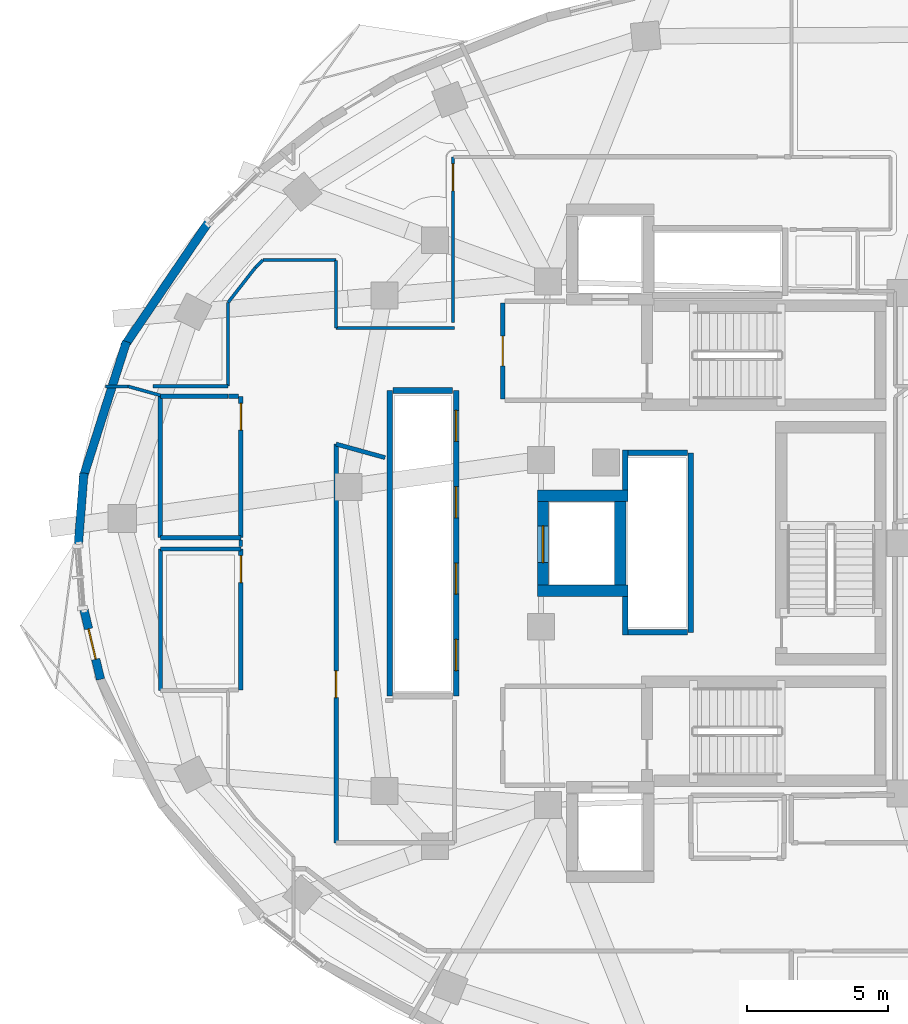
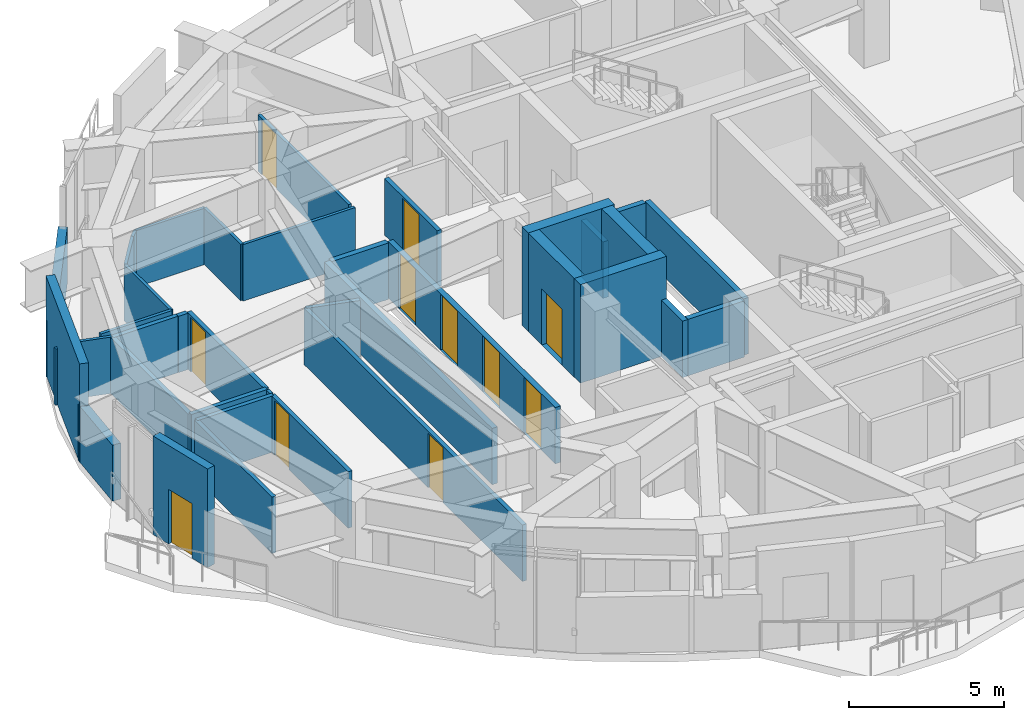
# One storey, part 8 of 13: 38 walls, 11 doors, 11 openings.
"""IFC4 building model written with IfcOpenShell, lengths in metres."""

from ifc_helpers import new_model, si_unit, direction, frame, frame_2d, origin, place, context, subcontext, project, spatial, rectangle, extrude, material, layer, layer_set, type_object, element, fill, save


model = new_model("IFC4")

# Units and contexts
model_context = context("Model", 3, precision=1e-05, world=origin(), true_north=direction((0.0, 1.0)))
body_context = subcontext(model_context, "Body", "Model", "MODEL_VIEW")
ifc_project = project(units=[si_unit("LENGTHUNIT", "METRE"), si_unit("AREAUNIT", "SQUARE_METRE"), si_unit("VOLUMEUNIT", "CUBIC_METRE"), si_unit("PLANEANGLEUNIT", "RADIAN"), si_unit("MASSUNIT", "GRAM", prefix="KILO")], contexts=[model_context])

# Site, building, storey
site_placement = place(None, origin())
site = spatial("IfcSite", under=ifc_project, at=site_placement, CompositionType="ELEMENT")
building_placement = place(site_placement, origin())
building = spatial("IfcBuilding", under=site, at=building_placement, Name="Korentha Bioscience Tower", CompositionType="ELEMENT")
storey_placement = place(building_placement, frame((0.0, 0.0, 208.800048828125)))
storey = spatial("IfcBuildingStorey", under=building, at=storey_placement, Name="L48", CompositionType="ELEMENT", Elevation=208.800048828125)

# Wall, opening, door
ifc_material_1 = material(Name="Double-Stud Acoustic Gypsum", Category="gypsum")
ifc_layer_1 = layer(ifc_material_1, 0.14990234375, Name="Double-Stud Acoustic Gypsum")
ifc_layer_set_1 = layer_set([ifc_layer_1], Name="Double-Stud Acoustic Gypsum (IW-L150)")
wall_type_1 = type_object("IfcWallType", Name="Acoustic Laboratory Partition Wall 150", PredefinedType="PARTITIONING", material=ifc_layer_set_1)
wall_1_placement = place(storey_placement, frame((14.239990234375, 26.800048828125, 0.0), z_axis=(0.0, 0.0, 1.0), x_axis=(0.0, -1.0, 0.0)))
wall_1 = element("IfcWall", 1, at=wall_1_placement, inside=storey, type_object=wall_type_1, Name="L48 Reclaimed Bank-1 Cold Freezer Alcove Entrance Wall", PredefinedType="PARTITIONING", context=body_context, shape_type="SweptSolid", body=[
    extrude(rectangle(XDim=4.989990234375, YDim=0.14990234375, at=frame_2d((2.4951171875, 0.0))), origin(), (0.0, 0.0, 1.0), 2.219970703125),
])
opening_1_placement = place(wall_1_placement, frame((0.239990234375, 0.0, 0.0)))
opening_1 = element("IfcOpeningElement", 2, at=opening_1_placement, cuts=wall_1, Name="Opening ID-10L", PredefinedType="OPENING", context=body_context, shape_type="SweptSolid", body=[
    extrude(rectangle(XDim=0.949951171875, YDim=2.14990234375, at=frame_2d((0.47509765625, 1.074951171875))), frame((0.0, 0.08984375, 0.0), z_axis=(0.0, -1.0, 0.0), x_axis=(1.0, 0.0, 0.0)), (0.0, 0.0, 1.0), 0.1796875),
])
ifc_material_2 = material(Name="Phenolic Laminate Timber Core", Category="wood")
door_type_1 = type_object("IfcDoorType", Name="Laboratory Single Leaf Door 950x2150 Left", OperationType="SINGLE_SWING_LEFT", PredefinedType="DOOR", material=ifc_material_2)
door_1_placement = place(opening_1_placement, origin())
door_1 = element("IfcDoor", 3, at=door_1_placement, inside=storey, type_object=door_type_1, Name="L48 Reclaimed Bank-1 Cold Freezer Alcove Door", OperationType="SINGLE_SWING_LEFT", OverallHeight=2.14990234375, OverallWidth=0.949951171875, PredefinedType="DOOR", context=body_context, shape_type="SweptSolid", body=[
    extrude(rectangle(XDim=0.949951171875, YDim=2.14990234375, at=frame_2d((0.47509765625, 1.074951171875))), frame((0.0, 0.02490234375, 0.0), z_axis=(0.0, -1.0, 0.0), x_axis=(1.0, 0.0, 0.0)), (0.0, 0.0, 1.0), 0.050048828125),
])
fill(opening_1, door_1)

wall_2_placement = place(storey_placement, frame((17.610107421875, 16.409912109375, 0.0), z_axis=(0.0, 0.0, 1.0), x_axis=(0.0, 1.0, 0.0)))
wall_2 = element("IfcWall", 4, at=wall_2_placement, inside=storey, type_object=wall_type_1, Name="L48 Staff Pantry Kitchenette 02 Entrance Wall", PredefinedType="PARTITIONING", context=body_context, shape_type="SweptSolid", body=[
    extrude(rectangle(XDim=14.096435546875, YDim=0.14990234375, at=frame_2d((7.04833984375, 0.0))), origin(), (0.0, 0.0, 1.0), 2.219970703125),
])
opening_2_placement = place(wall_2_placement, frame((5.132080078125, 0.0, 0.0)))
opening_2 = element("IfcOpeningElement", 5, at=opening_2_placement, cuts=wall_2, Name="Opening ID-10R", PredefinedType="OPENING", context=body_context, shape_type="SweptSolid", body=[
    extrude(rectangle(XDim=0.949951171875, YDim=2.14990234375, at=frame_2d((0.47509765625, 1.074951171875))), frame((0.0, 0.08984375, 0.0), z_axis=(0.0, -1.0, 0.0), x_axis=(1.0, 0.0, 0.0)), (0.0, 0.0, 1.0), 0.1796875),
])
door_type_2 = type_object("IfcDoorType", Name="Laboratory Single Leaf Door 950x2150 Right", OperationType="SINGLE_SWING_RIGHT", PredefinedType="DOOR", material=ifc_material_2)
door_2_placement = place(opening_2_placement, origin())
door_2 = element("IfcDoor", 6, at=door_2_placement, inside=storey, type_object=door_type_2, Name="L48 Staff Pantry Kitchenette 02 Door", OperationType="SINGLE_SWING_RIGHT", OverallHeight=2.14990234375, OverallWidth=0.949951171875, PredefinedType="DOOR", context=body_context, shape_type="SweptSolid", body=[
    extrude(rectangle(XDim=0.949951171875, YDim=2.14990234375, at=frame_2d((0.47509765625, 1.074951171875))), frame((0.0, 0.02490234375, 0.0), z_axis=(0.0, -1.0, 0.0), x_axis=(1.0, 0.0, 0.0)), (0.0, 0.0, 1.0), 0.050048828125),
])
fill(opening_2, door_2)

# Walls
wall_3_placement = place(storey_placement, frame((11.39990234375, 21.800048828125, 0.0), z_axis=(0.0, 0.0, 1.0), x_axis=(0.0, 1.0, 0.0)))
element("IfcWall", 7, at=wall_3_placement, inside=storey, type_object=wall_type_1, Name="L48 Interior Partition 023", PredefinedType="PARTITIONING", context=body_context, shape_type="SweptSolid", body=[
    extrude(rectangle(XDim=5.0, YDim=0.14990234375, at=frame_2d((2.5, 0.0))), origin(), (0.0, 0.0, 1.0), 2.219970703125),
])
wall_4_placement = place(storey_placement, frame((11.39990234375, 26.800048828125, 0.0), z_axis=(0.0, 0.0, 1.0), x_axis=(1.0, 0.0, 0.0)))
element("IfcWall", 8, at=wall_4_placement, inside=storey, type_object=wall_type_1, Name="L48 Interior Partition 024", PredefinedType="PARTITIONING", context=body_context, shape_type="SweptSolid", body=[
    extrude(rectangle(XDim=2.840087890625, YDim=0.14990234375, at=frame_2d((1.419921875, 0.0))), origin(), (0.0, 0.0, 1.0), 2.219970703125),
])
wall_5_placement = place(storey_placement, frame((17.610107421875, 30.50634765625, 0.0), z_axis=(0.0, 0.0, 1.0), x_axis=(0.963625002939, -0.267258028338, 0.0)))
element("IfcWall", 9, at=wall_5_placement, inside=storey, type_object=wall_type_1, Name="L48 Interior Partition 039", PredefinedType="PARTITIONING", context=body_context, shape_type="SweptSolid", body=[
    extrude(rectangle(XDim=1.794921875, YDim=0.14990234375, at=frame_2d((0.8974609375, 0.0))), origin(), (0.0, 0.0, 1.0), 2.219970703125),
])

# Wall, opening, door
ifc_material_3 = material(Name="Fire-Rated Framed Glass", Category="glass")
ifc_layer_2 = layer(ifc_material_3, 0.110107421875, Name="Fire-Rated Framed Glass")
ifc_layer_set_2 = layer_set([ifc_layer_2], Name="Fire-Rated Framed Glass (IW-G110)")
wall_type_2 = type_object("IfcWallType", Name="Demountable Glazed Office Partition 110", PredefinedType="MOVABLE", material=ifc_layer_set_2)
wall_6_placement = place(storey_placement, frame((21.739990234375, 40.64990234375, 0.0), z_axis=(0.0, 0.0, 1.0), x_axis=(0.0, -1.0, 0.0)))
wall_6 = element("IfcWall", 10, at=wall_6_placement, inside=storey, type_object=wall_type_2, Name="L48 Colloquium Huddle Room 09 Entrance Wall", PredefinedType="MOVABLE", context=body_context, shape_type="SweptSolid", body=[
    extrude(rectangle(XDim=5.849853515625, YDim=0.110107421875, at=frame_2d((2.9248046875, 0.0))), origin(), (0.0, 0.0, 1.0), 2.219970703125),
])
opening_3_placement = place(wall_6_placement, frame((0.239990234375, 0.0, 0.0)))
opening_3 = element("IfcOpeningElement", 11, at=opening_3_placement, cuts=wall_6, Name="Opening ID-10L", PredefinedType="OPENING", context=body_context, shape_type="SweptSolid", body=[
    extrude(rectangle(XDim=0.949951171875, YDim=2.14990234375, at=frame_2d((0.47509765625, 1.074951171875))), frame((0.0, 0.06982421875, 0.0), z_axis=(0.0, -1.0, 0.0), x_axis=(1.0, 0.0, 0.0)), (0.0, 0.0, 1.0), 0.139892578125),
])
door_3_placement = place(opening_3_placement, origin())
door_3 = element("IfcDoor", 12, at=door_3_placement, inside=storey, type_object=door_type_1, Name="L48 Colloquium Huddle Room 09 Door", OperationType="SINGLE_SWING_LEFT", OverallHeight=2.14990234375, OverallWidth=0.949951171875, PredefinedType="DOOR", context=body_context, shape_type="SweptSolid", body=[
    extrude(rectangle(XDim=0.949951171875, YDim=2.14990234375, at=frame_2d((0.47509765625, 1.074951171875))), frame((0.0, 0.02490234375, 0.0), z_axis=(0.0, -1.0, 0.0), x_axis=(1.0, 0.0, 0.0)), (0.0, 0.0, 1.0), 0.050048828125),
])
fill(opening_3, door_3)

# Walls
wall_7_placement = place(storey_placement, frame((9.459716796875, 32.548095703125, 0.0), z_axis=(0.0, 0.0, 1.0), x_axis=(1.0, 0.0, 0.0)))
element("IfcWall", 13, at=wall_7_placement, inside=storey, type_object=wall_type_2, Name="L48 Interior Partition 029", PredefinedType="MOVABLE", context=body_context, shape_type="SweptSolid", body=[
    extrude(rectangle(XDim=0.78857421875, YDim=0.110107421875, at=frame_2d((0.394287109375, 0.0))), origin(), (0.0, 0.0, 1.0), 2.219970703125),
])
wall_8_placement = place(storey_placement, frame((10.24853515625, 32.548095703125, 0.0), z_axis=(0.0, 0.0, 1.0), x_axis=(0.963570580791, -0.267454175203, 0.0)))
element("IfcWall", 14, at=wall_8_placement, inside=storey, type_object=wall_type_2, Name="L48 Interior Partition 030", PredefinedType="MOVABLE", context=body_context, shape_type="SweptSolid", body=[
    extrude(rectangle(XDim=1.19482421875, YDim=0.110107421875, at=frame_2d((0.597412109375, 0.0))), origin(), (0.0, 0.0, 1.0), 2.219970703125),
])
wall_9_placement = place(storey_placement, frame((14.239990234375, 27.116943359375, 0.0), z_axis=(0.0, 0.0, 1.0), x_axis=(0.0, -1.0, 0.0)))
element("IfcWall", 15, at=wall_9_placement, inside=storey, type_object=wall_type_2, Name="L48 Interior Partition 031", PredefinedType="MOVABLE", context=body_context, shape_type="SweptSolid", body=[
    extrude(rectangle(XDim=0.239013671875, YDim=0.110107421875, at=frame_2d((0.11962890625, 0.0))), origin(), (0.0, 0.0, 1.0), 2.219970703125),
])
wall_10_placement = place(storey_placement, frame((21.7900390625, 34.610107421875, 0.0), z_axis=(0.0, 0.0, 1.0), x_axis=(-1.0, 0.0, 0.0)))
element("IfcWall", 16, at=wall_10_placement, inside=storey, type_object=wall_type_2, Name="L48 Interior Partition 065", PredefinedType="MOVABLE", context=body_context, shape_type="SweptSolid", body=[
    extrude(rectangle(XDim=4.179931640625, YDim=0.110107421875, at=frame_2d((2.08984375, 0.0))), origin(), (0.0, 0.0, 1.0), 2.219970703125),
])
wall_11_placement = place(storey_placement, frame((17.610107421875, 34.610107421875, 0.0), z_axis=(0.0, 0.0, 1.0), x_axis=(0.0, 1.0, 0.0)))
element("IfcWall", 17, at=wall_11_placement, inside=storey, type_object=wall_type_2, Name="L48 Interior Partition 066", PredefinedType="MOVABLE", context=body_context, shape_type="SweptSolid", body=[
    extrude(rectangle(XDim=2.389892578125, YDim=0.110107421875, at=frame_2d((1.19482421875, 0.0))), origin(), (0.0, 0.0, 1.0), 2.219970703125),
])
wall_12_placement = place(storey_placement, frame((17.60009765625, 37.010009765625, 0.0), z_axis=(0.0, 0.0, 1.0), x_axis=(-1.0, 0.0, 0.0)))
element("IfcWall", 18, at=wall_12_placement, inside=storey, type_object=wall_type_2, Name="L48 Interior Partition 067", PredefinedType="MOVABLE", context=body_context, shape_type="SweptSolid", body=[
    extrude(rectangle(XDim=2.576416015625, YDim=0.110107421875, at=frame_2d((1.2880859375, 0.0))), origin(), (0.0, 0.0, 1.0), 2.219970703125),
])
wall_13_placement = place(storey_placement, frame((15.0166015625, 37.007080078125, 0.0), z_axis=(0.0, 0.0, 1.0), x_axis=(-0.711174408111, -0.70301561949, 0.0)))
element("IfcWall", 19, at=wall_13_placement, inside=storey, type_object=wall_type_2, Name="L48 Interior Partition 068", PredefinedType="MOVABLE", context=body_context, shape_type="SweptSolid", body=[
    extrude(rectangle(XDim=0.359130859375, YDim=0.110107421875, at=frame_2d((0.1796875, 0.0))), origin(), (0.0, 0.0, 1.0), 2.219970703125),
])
wall_14_placement = place(storey_placement, frame((14.760498046875, 36.753662109375, 0.0), z_axis=(0.0, 0.0, 1.0), x_axis=(-0.615625972761, -0.788038489962, 0.0)))
element("IfcWall", 20, at=wall_14_placement, inside=storey, type_object=wall_type_2, Name="L48 Interior Partition 069", PredefinedType="MOVABLE", context=body_context, shape_type="SweptSolid", body=[
    extrude(rectangle(XDim=1.5732421875, YDim=0.110107421875, at=frame_2d((0.78662109375, 0.0))), origin(), (0.0, 0.0, 1.0), 2.219970703125),
])
wall_15_placement = place(storey_placement, frame((13.7900390625, 35.5078125, 0.0), z_axis=(0.0, 0.0, 1.0), x_axis=(0.0, -1.0, 0.0)))
element("IfcWall", 21, at=wall_15_placement, inside=storey, type_object=wall_type_2, Name="L48 Interior Partition 070", PredefinedType="MOVABLE", context=body_context, shape_type="SweptSolid", body=[
    extrude(rectangle(XDim=2.955810546875, YDim=0.110107421875, at=frame_2d((1.47802734375, 0.0))), origin(), (0.0, 0.0, 1.0), 2.219970703125),
])
wall_16_placement = place(storey_placement, frame((13.7900390625, 32.552001953125, 0.0), z_axis=(0.0, 0.0, 1.0), x_axis=(-1.0, 0.0, 0.0)))
element("IfcWall", 22, at=wall_16_placement, inside=storey, type_object=wall_type_2, Name="L48 Interior Partition 071", PredefinedType="MOVABLE", context=body_context, shape_type="SweptSolid", body=[
    extrude(rectangle(XDim=2.657958984375, YDim=0.110107421875, at=frame_2d((1.3291015625, 0.0))), origin(), (0.0, 0.0, 1.0), 2.219970703125),
])

# Wall, opening, door
ifc_material_4 = material(Name="Gypsum-Clad Steel Stud", Category="steel")
ifc_layer_3 = layer(ifc_material_4, 0.159912109375, Name="Gypsum-Clad Steel Stud")
ifc_layer_set_3 = layer_set([ifc_layer_3], Name="Gypsum-Clad Steel Stud (IW-C160)")
wall_type_3 = type_object("IfcWallType", Name="Fire-Rated Corridor Partition Wall 160", PredefinedType="PARTITIONING", material=ifc_layer_set_3)
wall_17_placement = place(storey_placement, frame((23.5, 32.10009765625, 0.0), z_axis=(0.0, 0.0, 1.0), x_axis=(0.0, 1.0, 0.0)))
wall_17 = element("IfcWall", 23, at=wall_17_placement, inside=storey, type_object=wall_type_3, Name="L48 FFLN-CW Rated Enclosure Wall", PredefinedType="PARTITIONING", context=body_context, shape_type="SweptSolid", body=[
    extrude(rectangle(XDim=3.39990234375, YDim=0.159912109375, at=frame_2d((1.699951171875, 0.0))), origin(), (0.0, 0.0, 1.0), 2.219970703125),
])
opening_4_placement = place(wall_17_placement, frame((1.175048828125, 0.0, 0.0)))
opening_4 = element("IfcOpeningElement", 24, at=opening_4_placement, cuts=wall_17, Name="Opening FD-90L", PredefinedType="OPENING", context=body_context, shape_type="SweptSolid", body=[
    extrude(rectangle(XDim=1.050048828125, YDim=2.14990234375, at=frame_2d((0.52490234375, 1.074951171875))), frame((0.0, 0.0947265625, 0.0), z_axis=(0.0, -1.0, 0.0), x_axis=(1.0, 0.0, 0.0)), (0.0, 0.0, 1.0), 0.189697265625),
])
ifc_material_5 = material(Name="Powder-Coated Fire-Rated Steel", Category="steel")
door_type_3 = type_object("IfcDoorType", Name="Stairwell Fire Exit Door 1050x2150 Left", OperationType="SINGLE_SWING_LEFT", PredefinedType="DOOR", material=ifc_material_5)
door_4_placement = place(opening_4_placement, origin())
door_4 = element("IfcDoor", 25, at=door_4_placement, inside=storey, type_object=door_type_3, Name="L48 North Firefighting Lobby Door", OperationType="SINGLE_SWING_LEFT", OverallHeight=2.14990234375, OverallWidth=1.050048828125, PredefinedType="DOOR", context=body_context, shape_type="SweptSolid", body=[
    extrude(rectangle(XDim=1.050048828125, YDim=2.14990234375, at=frame_2d((0.52490234375, 1.074951171875))), frame((0.0, 0.02490234375, 0.0), z_axis=(0.0, -1.0, 0.0), x_axis=(1.0, 0.0, 0.0)), (0.0, 0.0, 1.0), 0.050048828125),
])
fill(opening_4, door_4)

wall_18_placement = place(storey_placement, frame((14.239990234375, 32.18994140625, 0.0), z_axis=(0.0, 0.0, 1.0), x_axis=(0.0, -1.0, 0.0)))
wall_18 = element("IfcWall", 26, at=wall_18_placement, inside=storey, type_object=wall_type_3, Name="L48 Reclaimed Bank-1 Glassware Store Entrance Wall", PredefinedType="PARTITIONING", context=body_context, shape_type="SweptSolid", body=[
    extrude(rectangle(XDim=4.989990234375, YDim=0.159912109375, at=frame_2d((2.4951171875, 0.0))), origin(), (0.0, 0.0, 1.0), 2.219970703125),
])
opening_5_placement = place(wall_18_placement, frame((0.239990234375, 0.0, 0.0)))
opening_5 = element("IfcOpeningElement", 27, at=opening_5_placement, cuts=wall_18, Name="Opening ID-10R", PredefinedType="OPENING", context=body_context, shape_type="SweptSolid", body=[
    extrude(rectangle(XDim=0.949951171875, YDim=2.14990234375, at=frame_2d((0.47509765625, 1.074951171875))), frame((0.0, 0.0947265625, 0.0), z_axis=(0.0, -1.0, 0.0), x_axis=(1.0, 0.0, 0.0)), (0.0, 0.0, 1.0), 0.189697265625),
])
door_5_placement = place(opening_5_placement, origin())
door_5 = element("IfcDoor", 28, at=door_5_placement, inside=storey, type_object=door_type_2, Name="L48 Reclaimed Bank-1 Glassware Store Door", OperationType="SINGLE_SWING_RIGHT", OverallHeight=2.14990234375, OverallWidth=0.949951171875, PredefinedType="DOOR", context=body_context, shape_type="SweptSolid", body=[
    extrude(rectangle(XDim=0.949951171875, YDim=2.14990234375, at=frame_2d((0.47509765625, 1.074951171875))), frame((0.0, 0.02490234375, 0.0), z_axis=(0.0, -1.0, 0.0), x_axis=(1.0, 0.0, 0.0)), (0.0, 0.0, 1.0), 0.050048828125),
])
fill(opening_5, door_5)

# Walls
wall_19_placement = place(storey_placement, frame((13.800048828125, 32.18994140625, 0.0), z_axis=(0.0, 0.0, 1.0), x_axis=(1.0, 0.0, 0.0)))
element("IfcWall", 29, at=wall_19_placement, inside=storey, type_object=wall_type_3, Name="L48 Interior Partition 025", PredefinedType="PARTITIONING", context=body_context, shape_type="SweptSolid", body=[
    extrude(rectangle(XDim=0.35693359375, YDim=0.159912109375, at=frame_2d((0.178466796875, 0.0))), origin(), (0.0, 0.0, 1.0), 2.219970703125),
])
wall_20_placement = place(storey_placement, frame((14.239990234375, 27.199951171875, 0.0), z_axis=(0.0, 0.0, 1.0), x_axis=(-1.0, 0.0, 0.0)))
element("IfcWall", 30, at=wall_20_placement, inside=storey, type_object=wall_type_3, Name="L48 Interior Partition 026", PredefinedType="PARTITIONING", context=body_context, shape_type="SweptSolid", body=[
    extrude(rectangle(XDim=2.840087890625, YDim=0.159912109375, at=frame_2d((1.419921875, 0.0))), origin(), (0.0, 0.0, 1.0), 2.219970703125),
])
wall_21_placement = place(storey_placement, frame((11.39990234375, 27.199951171875, 0.0), z_axis=(0.0, 0.0, 1.0), x_axis=(0.0, 1.0, 0.0)))
element("IfcWall", 31, at=wall_21_placement, inside=storey, type_object=wall_type_3, Name="L48 Interior Partition 027", PredefinedType="PARTITIONING", context=body_context, shape_type="SweptSolid", body=[
    extrude(rectangle(XDim=5.0, YDim=0.159912109375, at=frame_2d((2.5, 0.0))), origin(), (0.0, 0.0, 1.0), 2.219970703125),
])
wall_22_placement = place(storey_placement, frame((11.39990234375, 32.199951171875, 0.0), z_axis=(0.0, 0.0, 1.0), x_axis=(1.0, 0.0, 0.0)))
element("IfcWall", 32, at=wall_22_placement, inside=storey, type_object=wall_type_3, Name="L48 Interior Partition 028", PredefinedType="PARTITIONING", context=body_context, shape_type="SweptSolid", body=[
    extrude(rectangle(XDim=2.39013671875, YDim=0.159912109375, at=frame_2d((1.195068359375, 0.0))), origin(), (0.0, 0.0, 1.0), 2.219970703125),
])

# Wall, opening, door
ifc_material_6 = material(Name="Honed Limestone Precast Concrete C40", Category="masonry")
ifc_layer_4 = layer(ifc_material_6, 0.300048828125, Name="Honed Limestone Precast Concrete C40")
ifc_layer_set_4 = layer_set([ifc_layer_4], Name="Honed Limestone Precast Concrete C40 (EW-ST300)")
wall_type_4 = type_object("IfcWallType", Name="Honed Limestone Cavity Spandrel Wall 300", PredefinedType="STANDARD", material=ifc_layer_set_4)
wall_23_placement = place(storey_placement, frame((8.689453125, 24.68359375, 0.0), z_axis=(0.0, 0.0, 1.0), x_axis=(0.230615918203, -0.973044859332, 0.0)))
wall_23 = element("IfcWall", 33, at=wall_23_placement, inside=storey, type_object=wall_type_4, Name="L48 Balcony Threshold Wall 02", PredefinedType="STANDARD", context=body_context, shape_type="SweptSolid", body=[
    extrude(rectangle(XDim=2.56298828125, YDim=0.300048828125, at=frame_2d((1.281494140625, 0.0))), origin(), (0.0, 0.0, 1.0), 3.8798828125),
])
opening_6_placement = place(wall_23_placement, frame((0.7314453125, 0.0, 0.0)))
opening_6 = element("IfcOpeningElement", 34, at=opening_6_placement, cuts=wall_23, Name="Opening BD-11R", PredefinedType="OPENING", context=body_context, shape_type="SweptSolid", body=[
    extrude(rectangle(XDim=1.10009765625, YDim=2.14990234375, at=frame_2d((0.550048828125, 1.074951171875))), frame((0.0, 0.1650390625, 0.0), z_axis=(0.0, -1.0, 0.0), x_axis=(1.0, 0.0, 0.0)), (0.0, 0.0, 1.0), 0.329833984375),
])
ifc_material_7 = material(Name="Thermally Broken Glazed Aluminium", Category="aluminium")
door_type_4 = type_object("IfcDoorType", Name="Balcony Terrace Glazed Door 1100x2150 Right", OperationType="SINGLE_SWING_RIGHT", PredefinedType="DOOR", material=ifc_material_7)
door_6_placement = place(opening_6_placement, origin())
door_6 = element("IfcDoor", 35, at=door_6_placement, inside=storey, type_object=door_type_4, Name="L48 Balcony Access Door 02", OperationType="SINGLE_SWING_RIGHT", OverallHeight=2.14990234375, OverallWidth=1.10009765625, PredefinedType="DOOR", context=body_context, shape_type="SweptSolid", body=[
    extrude(rectangle(XDim=1.10009765625, YDim=2.14990234375, at=frame_2d((0.550048828125, 1.074951171875))), frame((0.0, 0.02490234375, 0.0), z_axis=(0.0, -1.0, 0.0), x_axis=(1.0, 0.0, 0.0)), (0.0, 0.0, 1.0), 0.050048828125),
])
fill(opening_6, door_6)

# Walls
wall_24_placement = place(storey_placement, frame((13.1025390625, 38.3603515625, 0.0), z_axis=(0.0, 0.0, 1.0), x_axis=(-0.561387104339, -0.827553333074, 0.0)))
element("IfcWall", 36, at=wall_24_placement, inside=storey, type_object=wall_type_4, Name="L48 Limestone Perimeter Closure Wall 14", PredefinedType="STANDARD", context=body_context, shape_type="SweptSolid", body=[
    extrude(rectangle(XDim=5.327392578125, YDim=0.300048828125, at=frame_2d((2.66357421875, 0.0))), origin(), (0.0, 0.0, 1.0), 2.204833984375),
])
wall_25_placement = place(storey_placement, frame((10.198486328125, 34.130126953125, 0.0), z_axis=(0.0, 0.0, 1.0), x_axis=(-0.30372166002, -0.952760805887, 0.0)))
element("IfcWall", 37, at=wall_25_placement, inside=storey, type_object=wall_type_4, Name="L48 Limestone Perimeter Closure Wall 16", PredefinedType="STANDARD", context=body_context, shape_type="SweptSolid", body=[
    extrude(rectangle(XDim=5.076904296875, YDim=0.300048828125, at=frame_2d((2.53857421875, 0.0))), origin(), (0.0, 0.0, 1.0), 3.8798828125),
])
wall_26_placement = place(storey_placement, frame((8.693359375, 29.48046875, 0.0), z_axis=(0.0, 0.0, 1.0), x_axis=(-0.077999392987, -0.996953406481, 0.0)))
element("IfcWall", 38, at=wall_26_placement, inside=storey, type_object=wall_type_4, Name="L48 Limestone Perimeter Closure Wall 18", PredefinedType="STANDARD", context=body_context, shape_type="SweptSolid", body=[
    extrude(rectangle(XDim=2.5791015625, YDim=0.300048828125, at=frame_2d((1.28955078125, 0.0))), origin(), (0.0, 0.0, 1.0), 2.204833984375),
])
ifc_material_8 = material(Name="Autoclaved Aerated Concrete Block C25", Category="concrete")
ifc_layer_5 = layer(ifc_material_8, 0.199951171875, Name="Autoclaved Aerated Concrete Block C25")
ifc_layer_set_5 = layer_set([ifc_layer_5], Name="Autoclaved Aerated Concrete Block C25 (IW-S200)")
wall_type_5 = type_object("IfcWallType", Name="Lift and Riser Shaft Enclosure Wall 200", PredefinedType="PARTITIONING", material=ifc_layer_set_5)
wall_27_placement = place(storey_placement, frame((19.5, 21.60009765625, 0.0), z_axis=(0.0, 0.0, 1.0), x_axis=(0.0, 1.0, 0.0)))
element("IfcWall", 39, at=wall_27_placement, inside=storey, type_object=wall_type_5, Name="L48 Lift Bank MID Shaft Wall -X", PredefinedType="PARTITIONING", context=body_context, shape_type="SweptSolid", body=[
    extrude(rectangle(XDim=10.7998046875, YDim=0.199951171875, at=frame_2d((5.39990234375, 0.0))), origin(), (0.0, 0.0, 1.0), 2.219970703125),
])

# Wall, openings, doors
wall_28_placement = place(storey_placement, frame((21.85009765625, 21.60009765625, 0.0), z_axis=(0.0, 0.0, 1.0), x_axis=(0.0, 1.0, 0.0)))
wall_28 = element("IfcWall", 40, at=wall_28_placement, inside=storey, type_object=wall_type_5, Name="L48 Lift Bank MID Shaft Wall +X", PredefinedType="PARTITIONING", context=body_context, shape_type="SweptSolid", body=[
    extrude(rectangle(XDim=10.7998046875, YDim=0.199951171875, at=frame_2d((5.39990234375, 0.0))), origin(), (0.0, 0.0, 1.0), 2.219970703125),
])
opening_7_placement = place(wall_28_placement, frame((0.89990234375, 0.0, 0.0)))
opening_7 = element("IfcOpeningElement", 41, at=opening_7_placement, cuts=wall_28, Name="Opening LD-11", PredefinedType="OPENING", context=body_context, shape_type="SweptSolid", body=[
    extrude(rectangle(XDim=1.10009765625, YDim=2.199951171875, at=frame_2d((0.550048828125, 1.10009765625))), frame((0.0, 0.11474609375, 0.0), z_axis=(0.0, -1.0, 0.0), x_axis=(1.0, 0.0, 0.0)), (0.0, 0.0, 1.0), 0.229736328125),
])
opening_8_placement = place(wall_28_placement, frame((3.60009765625, 0.0, 0.0)))
opening_8 = element("IfcOpeningElement", 42, at=opening_8_placement, cuts=wall_28, Name="Opening LD-11", PredefinedType="OPENING", context=body_context, shape_type="SweptSolid", body=[
    extrude(rectangle(XDim=1.10009765625, YDim=2.199951171875, at=frame_2d((0.550048828125, 1.10009765625))), frame((0.0, 0.11474609375, 0.0), z_axis=(0.0, -1.0, 0.0), x_axis=(1.0, 0.0, 0.0)), (0.0, 0.0, 1.0), 0.229736328125),
])
opening_9_placement = place(wall_28_placement, frame((6.300048828125, 0.0, 0.0)))
opening_9 = element("IfcOpeningElement", 43, at=opening_9_placement, cuts=wall_28, Name="Opening LD-11", PredefinedType="OPENING", context=body_context, shape_type="SweptSolid", body=[
    extrude(rectangle(XDim=1.10009765625, YDim=2.199951171875, at=frame_2d((0.550048828125, 1.10009765625))), frame((0.0, 0.11474609375, 0.0), z_axis=(0.0, -1.0, 0.0), x_axis=(1.0, 0.0, 0.0)), (0.0, 0.0, 1.0), 0.229736328125),
])
opening_10_placement = place(wall_28_placement, frame((9.0, 0.0, 0.0)))
opening_10 = element("IfcOpeningElement", 44, at=opening_10_placement, cuts=wall_28, Name="Opening LD-11", PredefinedType="OPENING", context=body_context, shape_type="SweptSolid", body=[
    extrude(rectangle(XDim=1.10009765625, YDim=2.199951171875, at=frame_2d((0.550048828125, 1.10009765625))), frame((0.0, 0.11474609375, 0.0), z_axis=(0.0, -1.0, 0.0), x_axis=(1.0, 0.0, 0.0)), (0.0, 0.0, 1.0), 0.229736328125),
])
ifc_material_9 = material(Name="Brushed Stainless Steel 304", Category="steel")
door_type_5 = type_object("IfcDoorType", Name="Passenger Lift Sliding Landing Door 1100x2200", OperationType="DOUBLE_DOOR_SLIDING", PredefinedType="DOOR", material=ifc_material_9)
door_7_placement = place(opening_7_placement, origin())
door_7 = element("IfcDoor", 45, at=door_7_placement, inside=storey, type_object=door_type_5, Name="L48 PL-M1 Sliding Lift Landing Door", OperationType="DOUBLE_DOOR_SLIDING", OverallHeight=2.199951171875, OverallWidth=1.10009765625, PredefinedType="DOOR", context=body_context, shape_type="SweptSolid", body=[
    extrude(rectangle(XDim=1.10009765625, YDim=2.199951171875, at=frame_2d((0.550048828125, 1.10009765625))), frame((0.0, 0.02490234375, 0.0), z_axis=(0.0, -1.0, 0.0), x_axis=(1.0, 0.0, 0.0)), (0.0, 0.0, 1.0), 0.050048828125),
])
fill(opening_7, door_7)
door_8_placement = place(opening_8_placement, origin())
door_8 = element("IfcDoor", 46, at=door_8_placement, inside=storey, type_object=door_type_5, Name="L48 PL-M2 Sliding Lift Landing Door", OperationType="DOUBLE_DOOR_SLIDING", OverallHeight=2.199951171875, OverallWidth=1.10009765625, PredefinedType="DOOR", context=body_context, shape_type="SweptSolid", body=[
    extrude(rectangle(XDim=1.10009765625, YDim=2.199951171875, at=frame_2d((0.550048828125, 1.10009765625))), frame((0.0, 0.02490234375, 0.0), z_axis=(0.0, -1.0, 0.0), x_axis=(1.0, 0.0, 0.0)), (0.0, 0.0, 1.0), 0.050048828125),
])
fill(opening_8, door_8)
door_9_placement = place(opening_9_placement, origin())
door_9 = element("IfcDoor", 47, at=door_9_placement, inside=storey, type_object=door_type_5, Name="L48 PL-M3 Sliding Lift Landing Door", OperationType="DOUBLE_DOOR_SLIDING", OverallHeight=2.199951171875, OverallWidth=1.10009765625, PredefinedType="DOOR", context=body_context, shape_type="SweptSolid", body=[
    extrude(rectangle(XDim=1.10009765625, YDim=2.199951171875, at=frame_2d((0.550048828125, 1.10009765625))), frame((0.0, 0.02490234375, 0.0), z_axis=(0.0, -1.0, 0.0), x_axis=(1.0, 0.0, 0.0)), (0.0, 0.0, 1.0), 0.050048828125),
])
fill(opening_9, door_9)
door_10_placement = place(opening_10_placement, origin())
door_10 = element("IfcDoor", 48, at=door_10_placement, inside=storey, type_object=door_type_5, Name="L48 PL-M4 Sliding Lift Landing Door", OperationType="DOUBLE_DOOR_SLIDING", OverallHeight=2.199951171875, OverallWidth=1.10009765625, PredefinedType="DOOR", context=body_context, shape_type="SweptSolid", body=[
    extrude(rectangle(XDim=1.10009765625, YDim=2.199951171875, at=frame_2d((0.550048828125, 1.10009765625))), frame((0.0, 0.02490234375, 0.0), z_axis=(0.0, -1.0, 0.0), x_axis=(1.0, 0.0, 0.0)), (0.0, 0.0, 1.0), 0.050048828125),
])
fill(opening_10, door_10)

# Walls
wall_29_placement = place(storey_placement, frame((19.6201171875, 32.39990234375, 0.0), z_axis=(0.0, 0.0, 1.0), x_axis=(1.0, 0.0, 0.0)))
element("IfcWall", 49, at=wall_29_placement, inside=storey, type_object=wall_type_5, Name="L48 Lift Bank MID Shaft Wall +Y", PredefinedType="PARTITIONING", context=body_context, shape_type="SweptSolid", body=[
    extrude(rectangle(XDim=2.10986328125, YDim=0.199951171875, at=frame_2d((1.054931640625, 0.0))), origin(), (0.0, 0.0, 1.0), 2.219970703125),
])
wall_30_placement = place(storey_placement, frame((27.830078125, 23.75, 0.0), z_axis=(0.0, 0.0, 1.0), x_axis=(0.0, 1.0, 0.0)))
element("IfcWall", 50, at=wall_30_placement, inside=storey, type_object=wall_type_5, Name="L48 Lift Bank HIGH Shaft Wall -XS", PredefinedType="PARTITIONING", context=body_context, shape_type="SweptSolid", body=[
    extrude(rectangle(XDim=1.365966796875, YDim=0.199951171875, at=frame_2d((0.68310546875, 0.0))), origin(), (0.0, 0.0, 1.0), 2.219970703125),
])
wall_31_placement = place(storey_placement, frame((27.830078125, 28.884033203125, 0.0), z_axis=(0.0, 0.0, 1.0), x_axis=(0.0, 1.0, 0.0)))
element("IfcWall", 51, at=wall_31_placement, inside=storey, type_object=wall_type_5, Name="L48 Lift Bank HIGH Shaft Wall -XN", PredefinedType="PARTITIONING", context=body_context, shape_type="SweptSolid", body=[
    extrude(rectangle(XDim=1.416015625, YDim=0.199951171875, at=frame_2d((0.7080078125, 0.0))), origin(), (0.0, 0.0, 1.0), 2.219970703125),
])
wall_32_placement = place(storey_placement, frame((30.14990234375, 23.85009765625, 0.0), z_axis=(0.0, 0.0, 1.0), x_axis=(0.0, 1.0, 0.0)))
element("IfcWall", 52, at=wall_32_placement, inside=storey, type_object=wall_type_5, Name="L48 Lift Bank HIGH Shaft Wall +X", PredefinedType="PARTITIONING", context=body_context, shape_type="SweptSolid", body=[
    extrude(rectangle(XDim=6.349853515625, YDim=0.199951171875, at=frame_2d((3.1748046875, 0.0))), origin(), (0.0, 0.0, 1.0), 2.219970703125),
])
for number, where, z_axis, x_axis, name in (
    (53, (27.93408203125, 23.85009765625, 0.0), (0.0, 0.0, 1.0), (1.0, 0.0, 0.0), "L48 Lift Bank HIGH Shaft Wall -Y"),
    (54, (27.93408203125, 30.199951171875, 0.0), (0.0, 0.0, 1.0), (1.0, 0.0, 0.0), "L48 Lift Bank HIGH Shaft Wall +Y"),
):
    element("IfcWall", number, at=place(storey_placement, frame(where, z_axis=z_axis, x_axis=x_axis)), inside=storey, type_object=wall_type_5, Name=name, PredefinedType="PARTITIONING", context=body_context, shape_type="SweptSolid", body=[
        extrude(rectangle(XDim=2.095947265625, YDim=0.199951171875, at=frame_2d((1.0478515625, 0.0))), origin(), (0.0, 0.0, 1.0), 2.219970703125),
    ])
ifc_material_10 = material(Name="Concrete C65", Category="concrete")
ifc_layer_6 = layer(ifc_material_10, 0.39990234375, Name="Concrete C65")
ifc_layer_set_6 = layer_set([ifc_layer_6], Name="Concrete C65 (CW-C65)")
wall_type_6 = type_object("IfcWallType", Name="Mid-Rise Core Shear Wall 400", PredefinedType="SHEAR", material=ifc_layer_set_6)
for number, where, z_axis, x_axis, name in (
    (55, (24.719970703125, 28.679931640625, 0.0), (0.0, 0.0, 1.0), (1.0, 0.0, 0.0), "L48 Core Shear Wall SVL1-N"),
    (56, (24.719970703125, 25.320068359375, 0.0), (0.0, 0.0, 1.0), (1.0, 0.0, 0.0), "L48 Core Shear Wall SVL1-S"),
):
    element("IfcWall", number, at=place(storey_placement, frame(where, z_axis=z_axis, x_axis=x_axis)), inside=storey, type_object=wall_type_6, Name=name, PredefinedType="SHEAR", context=body_context, shape_type="SweptSolid", body=[
        extrude(rectangle(XDim=3.2099609375, YDim=0.39990234375, at=frame_2d((1.60498046875, 0.0))), origin(), (0.0, 0.0, 1.0), 3.8798828125),
    ])

# Wall, opening, door
wall_33_placement = place(storey_placement, frame((24.919921875, 25.52197265625, 0.0), z_axis=(0.0, 0.0, 1.0), x_axis=(0.0, 1.0, 0.0)))
wall_33 = element("IfcWall", 57, at=wall_33_placement, inside=storey, type_object=wall_type_6, Name="L48 Core Shear Wall SVL1-W", PredefinedType="SHEAR", context=body_context, shape_type="SweptSolid", body=[
    extrude(rectangle(XDim=2.9560546875, YDim=0.39990234375, at=frame_2d((1.47802734375, 0.0))), origin(), (0.0, 0.0, 1.0), 3.8798828125),
])
opening_11_placement = place(wall_33_placement, frame((0.7900390625, 0.0, 0.0)))
opening_11 = element("IfcOpeningElement", 58, at=opening_11_placement, cuts=wall_33, Name="Opening LD-13", PredefinedType="OPENING", context=body_context, shape_type="SweptSolid", body=[
    extrude(rectangle(XDim=1.300048828125, YDim=2.199951171875, at=frame_2d((0.64990234375, 1.10009765625))), frame((0.0, 0.21484375, 0.0), z_axis=(0.0, -1.0, 0.0), x_axis=(1.0, 0.0, 0.0)), (0.0, 0.0, 1.0), 0.4296875),
])
ifc_material_11 = material(Name="Brushed Stainless Steel 316", Category="steel")
door_type_6 = type_object("IfcDoorType", Name="Service & Firefighting Lift Landing Door 1300x2300", OperationType="DOUBLE_DOOR_SLIDING", PredefinedType="DOOR", material=ifc_material_11)
door_11_placement = place(opening_11_placement, origin())
door_11 = element("IfcDoor", 59, at=door_11_placement, inside=storey, type_object=door_type_6, Name="L48 SVL-1 Sliding Lift Landing Door", OperationType="DOUBLE_DOOR_SLIDING", OverallHeight=2.199951171875, OverallWidth=1.300048828125, PredefinedType="DOOR", context=body_context, shape_type="SweptSolid", body=[
    extrude(rectangle(XDim=1.300048828125, YDim=2.199951171875, at=frame_2d((0.64990234375, 1.10009765625))), frame((0.0, 0.02490234375, 0.0), z_axis=(0.0, -1.0, 0.0), x_axis=(1.0, 0.0, 0.0)), (0.0, 0.0, 1.0), 0.050048828125),
])
fill(opening_11, door_11)

# Wall
wall_34_placement = place(storey_placement, frame((27.64990234375, 25.52197265625, 0.0), z_axis=(0.0, 0.0, 1.0), x_axis=(0.0, 1.0, 0.0)))
element("IfcWall", 60, at=wall_34_placement, inside=storey, type_object=wall_type_6, Name="L48 Core Shear Wall SVL1-E", PredefinedType="SHEAR", context=body_context, shape_type="SweptSolid", body=[
    extrude(rectangle(XDim=2.9560546875, YDim=0.39990234375, at=frame_2d((1.47802734375, 0.0))), origin(), (0.0, 0.0, 1.0), 3.8798828125),
])

save(model, "model.ifc")
